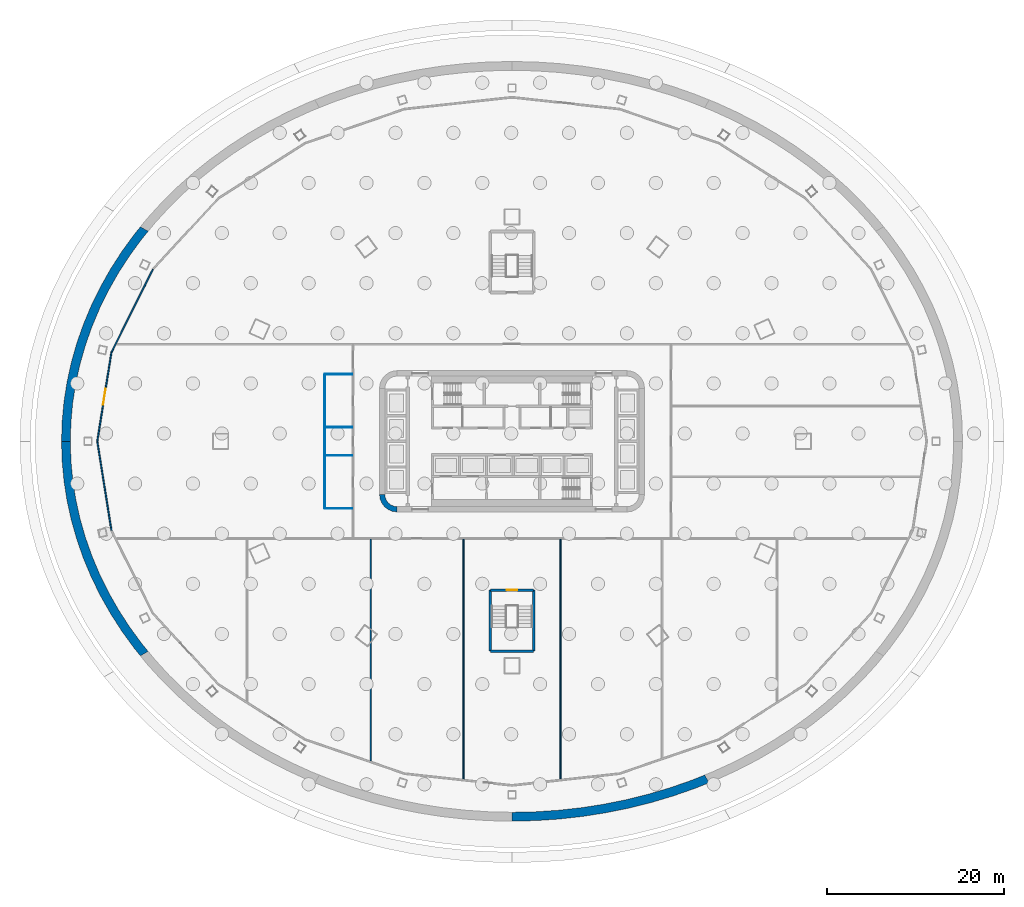
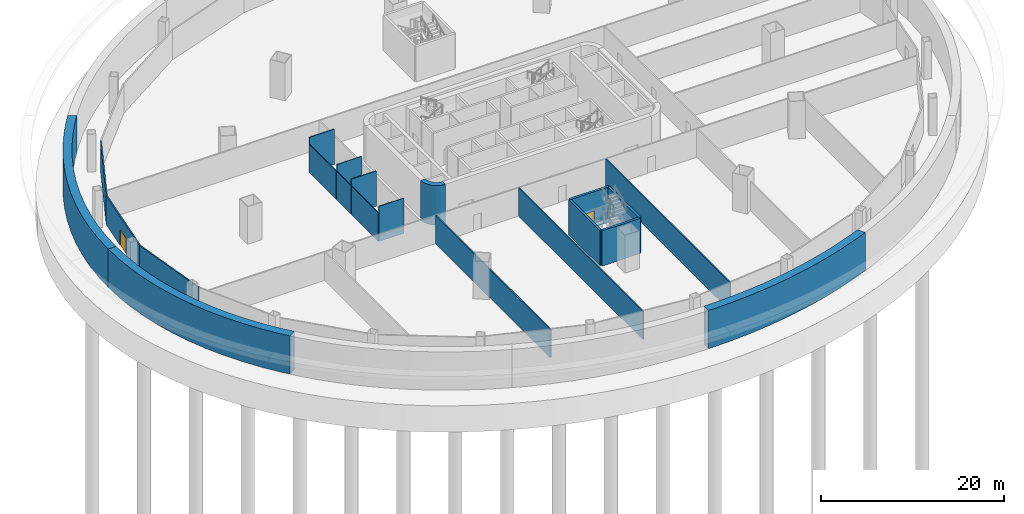
# One storey, part 5 of 19: 21 walls, 2 doors, 2 openings.
"""IFC4 building model written with IfcOpenShell, lengths in metres."""

from ifc_helpers import new_model, si_unit, direction, frame, frame_2d, origin, place, context, subcontext, project, spatial, polyline, rectangle, outline, extrude, material, layer, layer_set, type_object, element, fill, save


model = new_model("IFC4")

# Units and contexts
model_context = context("Model", 3, precision=1e-05, world=origin(), true_north=direction((0.0, 1.0)))
body_context = subcontext(model_context, "Body", "Model", "MODEL_VIEW")
ifc_project = project(units=[si_unit("LENGTHUNIT", "METRE"), si_unit("AREAUNIT", "SQUARE_METRE"), si_unit("VOLUMEUNIT", "CUBIC_METRE"), si_unit("PLANEANGLEUNIT", "RADIAN"), si_unit("MASSUNIT", "GRAM", prefix="KILO")], contexts=[model_context])

# Site, building, storey
site_placement = place(None, origin())
site = spatial("IfcSite", under=ifc_project, at=site_placement, CompositionType="ELEMENT")
building_placement = place(site_placement, origin())
building = spatial("IfcBuilding", under=site, at=building_placement, Name="Sahrelin Media Tower", CompositionType="ELEMENT")
storey_placement = place(building_placement, frame((0.0, 0.0, -5.0)))
storey = spatial("IfcBuildingStorey", under=building, at=storey_placement, Name="B1", CompositionType="ELEMENT", Elevation=-5.0)

# Walls
ifc_material_1 = material(Name="Concrete C50/60", Category="concrete")
ifc_layer_1 = layer(ifc_material_1, 1.0)
ifc_layer_set_1 = layer_set([ifc_layer_1], Name="Basement retaining wall")
wall_type_1 = type_object("IfcWallType", Name="Basement retaining wall", PredefinedType="SOLIDWALL", material=ifc_layer_set_1)
placement = place(storey_placement, frame((0.0, 0.0, -0.300048828125)))
element("IfcWall", 1, at=placement, inside=storey, type_object=wall_type_1, Name="Basement retaining wall 6", PredefinedType="SOLIDWALL", context=body_context, shape_type="SweptSolid", body=[
    extrude(outline(polyline([(-51.0, 0.0), (-50.0, 0.0), (-49.931396484375, 2.197998046875), (-49.72607421875, 4.39013671875), (-49.384521484375, 6.5703125), (-48.907470703125, 8.732421875), (-48.29638671875, 10.870361328125), (-47.552734375, 12.978759765625), (-46.678955078125, 15.051513671875), (-45.67724609375, 17.0830078125), (-44.55029296875, 19.067626953125), (-43.30126953125, 21.0), (-41.93359375, 22.874755859375), (-41.19140625, 23.781982421875), (-42.0654296875, 24.28662109375), (-42.772216796875, 23.41943359375), (-44.167236328125, 21.5), (-45.44140625, 19.521484375), (-46.5908203125, 17.48974609375), (-47.612548828125, 15.409912109375), (-48.50390625, 13.28759765625), (-49.26220703125, 11.129150390625), (-49.885498046875, 8.940185546875), (-50.3720703125, 6.726806640625), (-50.720703125, 4.49462890625), (-50.93017578125, 2.25048828125), (-51.0, 0.0)])), origin(), (0.0, 0.0, 1.0), 5.10009765625),
])
element("IfcWall", 2, at=placement, inside=storey, type_object=wall_type_1, Name="Basement retaining wall 7", PredefinedType="SOLIDWALL", context=body_context, shape_type="SweptSolid", body=[
    extrude(outline(polyline([(-42.0654296875, -24.28662109375), (-41.19140625, -23.781982421875), (-41.93359375, -22.874755859375), (-43.30126953125, -21.0), (-44.55029296875, -19.067626953125), (-45.67724609375, -17.0830078125), (-46.678955078125, -15.051513671875), (-47.552734375, -12.978759765625), (-48.29638671875, -10.870361328125), (-48.907470703125, -8.732421875), (-49.384521484375, -6.5703125), (-49.72607421875, -4.39013671875), (-49.931396484375, -2.197998046875), (-50.0, 0.0), (-50.0, 0.0), (-51.0, 0.0), (-51.0, 0.0), (-50.93017578125, -2.25048828125), (-50.720703125, -4.49462890625), (-50.3720703125, -6.726806640625), (-49.885498046875, -8.940185546875), (-49.26220703125, -11.129150390625), (-48.50390625, -13.28759765625), (-47.612548828125, -15.409912109375), (-46.5908203125, -17.48974609375), (-45.44140625, -19.521484375), (-44.167236328125, -21.5), (-42.772216796875, -23.41943359375), (-42.0654296875, -24.28662109375)])), origin(), (0.0, 0.0, 1.0), 5.10009765625),
])
element("IfcWall", 3, at=placement, inside=storey, type_object=wall_type_1, Name="Basement retaining wall 10", PredefinedType="SOLIDWALL", context=body_context, shape_type="SweptSolid", body=[
    extrude(outline(polyline([(22.31494140625, -38.650634765625), (21.811279296875, -37.7783203125), (20.3369140625, -38.368896484375), (17.91845703125, -39.21044921875), (15.45068359375, -39.9443359375), (12.94091796875, -40.56884765625), (10.3955078125, -41.082275390625), (7.82177734375, -41.48291015625), (5.226318359375, -41.77001953125), (2.61669921875, -41.9423828125), (0.0, -42.0), (0.0, -42.0), (0.0, -43.0), (0.0, -43.0), (2.669189453125, -42.941162109375), (5.3310546875, -42.764404296875), (7.978271484375, -42.470703125), (10.603515625, -42.060302734375), (13.19970703125, -41.534912109375), (15.760009765625, -40.8955078125), (18.27685546875, -40.14404296875), (20.74365234375, -39.282470703125), (22.31494140625, -38.650634765625)])), origin(), (0.0, 0.0, 1.0), 5.10009765625),
])
ifc_material_2 = material(Name="Concrete C60/75", Category="concrete")
ifc_layer_2 = layer(ifc_material_2, 0.60009765625)
ifc_layer_set_2 = layer_set([ifc_layer_2], Name="Core wall 600")
wall_type_2 = type_object("IfcWallType", Name="Core wall 600", PredefinedType="SHEAR", material=ifc_layer_set_2)
element("IfcWall", 4, at=placement, inside=storey, type_object=wall_type_2, Name="Core wall corner SW B1", PredefinedType="SHEAR", context=body_context, shape_type="SweptSolid", body=[
    extrude(outline(polyline([(-13.0, -8.0), (-13.0, -7.394775390625), (-13.361083984375, -7.347412109375), (-13.697509765625, -7.2080078125), (-13.986328125, -6.986328125), (-14.2080078125, -6.697509765625), (-14.347412109375, -6.361083984375), (-14.394775390625, -6.0), (-15.0, -6.0), (-14.931884765625, -6.517578125), (-14.732177734375, -7.0), (-14.414306640625, -7.414306640625), (-14.0, -7.732177734375), (-13.517578125, -7.931884765625), (-13.0, -8.0)])), origin(), (0.0, 0.0, 1.0), 5.300048828125),
])
ifc_material_3 = material(Name="Fire-rated gypsum board partition")
ifc_layer_3 = layer(ifc_material_3, 0.14990234375)
ifc_layer_set_3 = layer_set([ifc_layer_3], Name="Fire-rated partition 150")
wall_type_3 = type_object("IfcWallType", Name="Fire-rated partition 150", PredefinedType="PARTITIONING", material=ifc_layer_set_3)
wall_5_placement = place(storey_placement, frame((-40.659912109375, 19.47509765625, 0.0), z_axis=(0.0, 0.0, 1.0), x_axis=(-0.446692676619, -0.894687460879, 0.0)))
element("IfcWall", 5, at=wall_5_placement, inside=storey, type_object=wall_type_3, Name="Wall", PredefinedType="PARTITIONING", context=body_context, shape_type="SweptSolid", body=[
    extrude(rectangle(XDim=10.499755859375, YDim=0.14990234375, at=frame_2d((5.25, 0.0))), origin(), (0.0, 0.0, 1.0), 3.84521484375),
])

# Wall, opening, door
wall_6_placement = place(storey_placement, frame((-45.35009765625, 10.0810546875, 0.0), z_axis=(0.0, 0.0, 1.0), x_axis=(-0.156737547616, -0.98764028936, 0.0)))
wall_6 = element("IfcWall", 6, at=wall_6_placement, inside=storey, type_object=wall_type_3, Name="Wall", PredefinedType="PARTITIONING", context=body_context, shape_type="SweptSolid", body=[
    extrude(rectangle(XDim=10.207275390625, YDim=0.14990234375, at=frame_2d((5.103515625, 0.0))), origin(), (0.0, 0.0, 1.0), 3.84521484375),
])
opening_1_placement = place(wall_6_placement, frame((4.2041015625, 0.0, 0.0)))
opening_1 = element("IfcOpeningElement", 7, at=opening_1_placement, cuts=wall_6, Name="Opening B1-D36", PredefinedType="OPENING", context=body_context, shape_type="SweptSolid", body=[
    extrude(rectangle(XDim=1.800048828125, YDim=2.10009765625, at=frame_2d((0.89990234375, 1.050048828125))), frame((0.0, 0.074951171875, 0.0), z_axis=(0.0, -1.0, 0.0), x_axis=(1.0, 0.0, 0.0)), (0.0, 0.0, 1.0), 0.14990234375),
])
ifc_material_4 = material(Name="Steel fire door leaf", Category="steel")
door_type_1 = type_object("IfcDoorType", Name="Service double door 1800 x 2100 EI 60", OperationType="DOUBLE_DOOR_SINGLE_SWING", PredefinedType="DOOR", material=ifc_material_4)
door_1_placement = place(opening_1_placement, origin())
door_1 = element("IfcDoor", 8, at=door_1_placement, inside=storey, type_object=door_type_1, Name="Service double door", OperationType="DOUBLE_DOOR_SINGLE_SWING", OverallHeight=2.10009765625, OverallWidth=1.800048828125, PredefinedType="DOOR", context=body_context, shape_type="SweptSolid", body=[
    extrude(rectangle(XDim=1.800048828125, YDim=2.10009765625, at=frame_2d((0.89990234375, 1.050048828125))), frame((0.0, 0.02490234375, 0.0), z_axis=(0.0, -1.0, 0.0), x_axis=(1.0, 0.0, 0.0)), (0.0, 0.0, 1.0), 0.050048828125),
])
fill(opening_1, door_1)

# Walls
wall_7_placement = place(storey_placement, frame((-46.949951171875, 0.0, 0.0), z_axis=(0.0, 0.0, 1.0), x_axis=(0.156737547616, -0.98764028936, 0.0)))
element("IfcWall", 9, at=wall_7_placement, inside=storey, type_object=wall_type_3, Name="Wall", PredefinedType="PARTITIONING", context=body_context, shape_type="SweptSolid", body=[
    extrude(rectangle(XDim=10.207275390625, YDim=0.14990234375, at=frame_2d((5.103515625, 0.0))), origin(), (0.0, 0.0, 1.0), 3.84521484375),
])
wall_8_placement = place(storey_placement, frame((-16.0, -11.074951171875, 0.0), z_axis=(0.0, 0.0, 1.0), x_axis=(0.0, -1.0, 0.0)))
element("IfcWall", 10, at=wall_8_placement, inside=storey, type_object=wall_type_3, Name="Wall", PredefinedType="PARTITIONING", context=body_context, shape_type="SweptSolid", body=[
    extrude(rectangle(XDim=25.120361328125, YDim=0.14990234375, at=frame_2d((12.56005859375, 0.0))), origin(), (0.0, 0.0, 1.0), 3.777099609375),
])
for number, where, z_axis, x_axis, name in (
    (11, (-5.5, -11.074951171875, 0.0), (0.0, 0.0, 1.0), (0.0, -1.0, 0.0), "Wall"),
    (12, (5.5, -11.074951171875, 0.0), (0.0, 0.0, 1.0), (0.0, -1.0, 0.0), "Wall"),
):
    element("IfcWall", number, at=place(storey_placement, frame(where, z_axis=z_axis, x_axis=x_axis)), inside=storey, type_object=wall_type_3, Name=name, PredefinedType="PARTITIONING", context=body_context, shape_type="SweptSolid", body=[
        extrude(rectangle(XDim=27.190673828125, YDim=0.14990234375, at=frame_2d((13.59521484375, 0.0))), origin(), (0.0, 0.0, 1.0), 3.768310546875),
    ])
ifc_material_5 = material(Name="Gypsum board partition")
ifc_layer_4 = layer(ifc_material_5, 0.10009765625)
ifc_layer_set_4 = layer_set([ifc_layer_4], Name="Partition 100")
wall_type_4 = type_object("IfcWallType", Name="Partition 100", PredefinedType="PARTITIONING", material=ifc_layer_set_4)
for number, where, z_axis, x_axis, name in (
    (13, (-21.199951171875, -7.60009765625, 0.0), (0.0, 0.0, 1.0), (1.0, 0.0, 0.0), "Wall"),
    (14, (-18.074951171875, -1.60009765625, 0.0), (0.0, 0.0, 1.0), (-1.0, 0.0, 0.0), "Wall"),
):
    element("IfcWall", number, at=place(storey_placement, frame(where, z_axis=z_axis, x_axis=x_axis)), inside=storey, type_object=wall_type_4, Name=name, PredefinedType="PARTITIONING", context=body_context, shape_type="SweptSolid", body=[
        extrude(rectangle(XDim=3.125, YDim=0.10009765625, at=frame_2d((1.5625, 0.0))), origin(), (0.0, 0.0, 1.0), 4.699951171875),
    ])
wall_9_placement = place(storey_placement, frame((-21.199951171875, -1.64990234375, 0.0), z_axis=(0.0, 0.0, 1.0), x_axis=(0.0, -1.0, 0.0)))
element("IfcWall", 15, at=wall_9_placement, inside=storey, type_object=wall_type_4, Name="Wall", PredefinedType="PARTITIONING", context=body_context, shape_type="SweptSolid", body=[
    extrude(rectangle(XDim=5.900146484375, YDim=0.10009765625, at=frame_2d((2.9501953125, 0.0))), origin(), (0.0, 0.0, 1.0), 3.777099609375),
])
wall_10_placement = place(storey_placement, frame((-18.074951171875, 1.60009765625, 0.0), z_axis=(0.0, 0.0, 1.0), x_axis=(-1.0, 0.0, 0.0)))
element("IfcWall", 16, at=wall_10_placement, inside=storey, type_object=wall_type_4, Name="Wall", PredefinedType="PARTITIONING", context=body_context, shape_type="SweptSolid", body=[
    extrude(rectangle(XDim=3.125, YDim=0.10009765625, at=frame_2d((1.5625, 0.0))), origin(), (0.0, 0.0, 1.0), 4.699951171875),
])
wall_11_placement = place(storey_placement, frame((-21.199951171875, 1.550048828125, 0.0), z_axis=(0.0, 0.0, 1.0), x_axis=(0.0, -1.0, 0.0)))
element("IfcWall", 17, at=wall_11_placement, inside=storey, type_object=wall_type_4, Name="Wall", PredefinedType="PARTITIONING", context=body_context, shape_type="SweptSolid", body=[
    extrude(rectangle(XDim=3.10009765625, YDim=0.10009765625, at=frame_2d((1.550048828125, 0.0))), origin(), (0.0, 0.0, 1.0), 3.777099609375),
])
wall_12_placement = place(storey_placement, frame((-18.074951171875, 7.60009765625, 0.0), z_axis=(0.0, 0.0, 1.0), x_axis=(-1.0, 0.0, 0.0)))
element("IfcWall", 18, at=wall_12_placement, inside=storey, type_object=wall_type_4, Name="Wall", PredefinedType="PARTITIONING", context=body_context, shape_type="SweptSolid", body=[
    extrude(rectangle(XDim=3.125, YDim=0.10009765625, at=frame_2d((1.5625, 0.0))), origin(), (0.0, 0.0, 1.0), 4.699951171875),
])
wall_13_placement = place(storey_placement, frame((-21.199951171875, 7.550048828125, 0.0), z_axis=(0.0, 0.0, 1.0), x_axis=(0.0, -1.0, 0.0)))
element("IfcWall", 19, at=wall_13_placement, inside=storey, type_object=wall_type_4, Name="Wall", PredefinedType="PARTITIONING", context=body_context, shape_type="SweptSolid", body=[
    extrude(rectangle(XDim=5.900146484375, YDim=0.10009765625, at=frame_2d((2.9501953125, 0.0))), origin(), (0.0, 0.0, 1.0), 3.777099609375),
])
ifc_layer_5 = layer(ifc_material_2, 0.300048828125)
ifc_layer_set_5 = layer_set([ifc_layer_5], Name="Stair enclosure wall 300")
wall_type_5 = type_object("IfcWallType", Name="Stair enclosure wall 300", PredefinedType="SOLIDWALL", material=ifc_layer_set_5)
wall_14_placement = place(storey_placement, frame((2.449951171875, -23.75, 0.0), z_axis=(0.0, 0.0, 1.0), x_axis=(-1.0, 0.0, 0.0)))
element("IfcWall", 20, at=wall_14_placement, inside=storey, type_object=wall_type_5, Name="Stair BS2", PredefinedType="SOLIDWALL", context=body_context, shape_type="SweptSolid", body=[
    extrude(rectangle(XDim=4.89990234375, YDim=0.300048828125, at=frame_2d((2.449951171875, 0.0))), origin(), (0.0, 0.0, 1.0), 4.699951171875),
])
wall_15_placement = place(storey_placement, frame((-2.449951171875, -23.75, 0.0), z_axis=(0.0, 0.0, 1.0), x_axis=(0.0, 1.0, 0.0)))
element("IfcWall", 21, at=wall_15_placement, inside=storey, type_object=wall_type_5, Name="Stair BS2", PredefinedType="SOLIDWALL", context=body_context, shape_type="SweptSolid", body=[
    extrude(rectangle(XDim=6.89990234375, YDim=0.300048828125, at=frame_2d((3.449951171875, 0.0))), origin(), (0.0, 0.0, 1.0), 4.699951171875),
])

# Wall, opening, door
wall_16_placement = place(storey_placement, frame((-2.449951171875, -16.85009765625, 0.0), z_axis=(0.0, 0.0, 1.0), x_axis=(1.0, 0.0, 0.0)))
wall_16 = element("IfcWall", 22, at=wall_16_placement, inside=storey, type_object=wall_type_5, Name="Stair BS2", PredefinedType="SOLIDWALL", context=body_context, shape_type="SweptSolid", body=[
    extrude(rectangle(XDim=4.89990234375, YDim=0.300048828125, at=frame_2d((2.449951171875, 0.0))), origin(), (0.0, 0.0, 1.0), 4.699951171875),
])
opening_2_placement = place(wall_16_placement, frame((1.85009765625, 0.0, 0.0)))
opening_2 = element("IfcOpeningElement", 23, at=opening_2_placement, cuts=wall_16, Name="Opening B1-D41", PredefinedType="OPENING", context=body_context, shape_type="SweptSolid", body=[
    extrude(rectangle(XDim=1.199951171875, YDim=2.10009765625, at=frame_2d((0.60009765625, 1.050048828125))), frame((0.0, 0.14990234375, 0.0), z_axis=(0.0, -1.0, 0.0), x_axis=(1.0, 0.0, 0.0)), (0.0, 0.0, 1.0), 0.300048828125),
])
door_type_2 = type_object("IfcDoorType", Name="Stair door 1200 x 2100 EI 120", OperationType="NOTDEFINED", PredefinedType="DOOR", material=ifc_material_4)
door_2_placement = place(opening_2_placement, origin())
door_2 = element("IfcDoor", 24, at=door_2_placement, inside=storey, type_object=door_type_2, Name="Stair door", OperationType="SINGLE_SWING_RIGHT", OverallHeight=2.10009765625, OverallWidth=1.199951171875, PredefinedType="DOOR", context=body_context, shape_type="SweptSolid", body=[
    extrude(rectangle(XDim=1.199951171875, YDim=2.10009765625, at=frame_2d((0.60009765625, 1.050048828125))), frame((0.0, 0.02490234375, 0.0), z_axis=(0.0, -1.0, 0.0), x_axis=(1.0, 0.0, 0.0)), (0.0, 0.0, 1.0), 0.050048828125),
])
fill(opening_2, door_2)

# Wall
wall_17_placement = place(storey_placement, frame((2.449951171875, -16.85009765625, 0.0), z_axis=(0.0, 0.0, 1.0), x_axis=(0.0, -1.0, 0.0)))
element("IfcWall", 25, at=wall_17_placement, inside=storey, type_object=wall_type_5, Name="Stair BS2", PredefinedType="SOLIDWALL", context=body_context, shape_type="SweptSolid", body=[
    extrude(rectangle(XDim=6.89990234375, YDim=0.300048828125, at=frame_2d((3.449951171875, 0.0))), origin(), (0.0, 0.0, 1.0), 4.699951171875),
])

save(model, "model.ifc")
